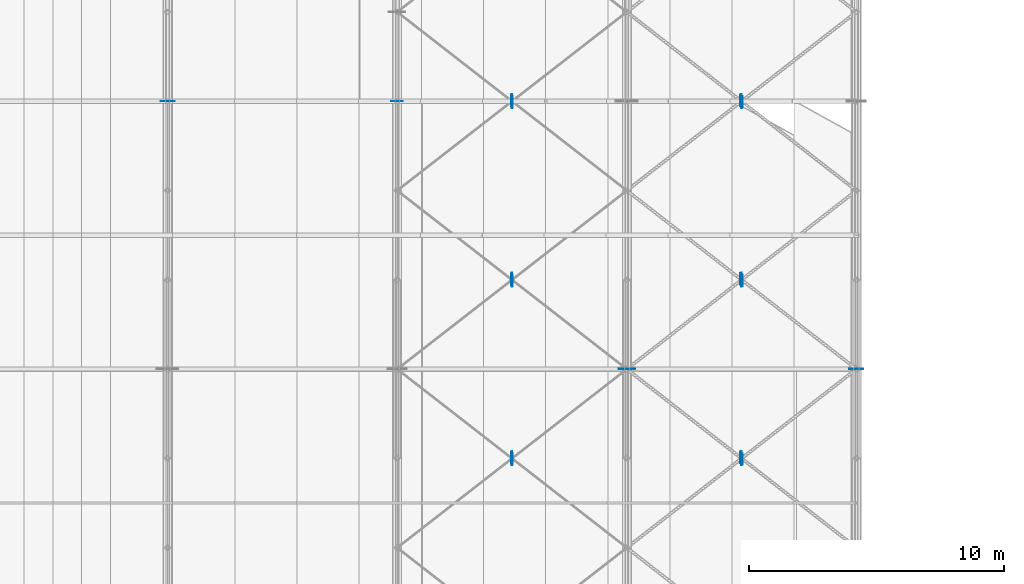
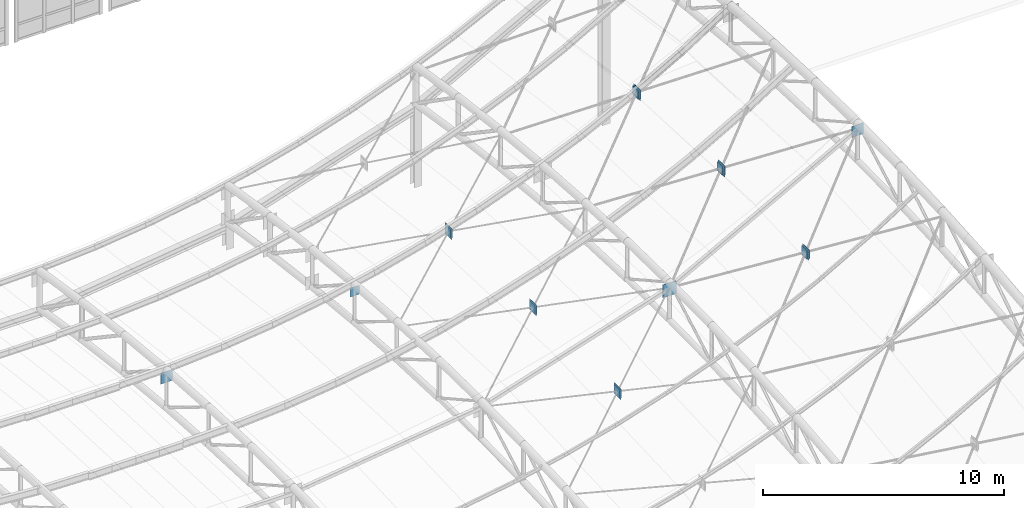
# One storey, part 241 of 262: 22 plates.
"""IFC4 building model written with IfcOpenShell, lengths in metres."""

from ifc_helpers import new_model, si_unit, derived_unit, direction, frame, origin, origin_2d, place, context, subcontext, project, spatial, rectangle, extrude, material, layer, layer_set, type_object, element, save


model = new_model("IFC4")

# Units and contexts
model_context = context("Model", 3, precision=1e-05, world=origin(), true_north=direction((0.0, 1.0)))
body_context = subcontext(model_context, "Body", "Model", "MODEL_VIEW")
ifc_project = project(units=[si_unit("LENGTHUNIT", "METRE"), si_unit("AREAUNIT", "SQUARE_METRE"), si_unit("VOLUMEUNIT", "CUBIC_METRE"), si_unit("PLANEANGLEUNIT", "RADIAN"), si_unit("MASSUNIT", "GRAM", prefix="KILO"), derived_unit("THERMALTRANSMITTANCEUNIT", [(si_unit("POWERUNIT", "WATT"), 1), (si_unit("LENGTHUNIT", "METRE"), -2), (si_unit("THERMODYNAMICTEMPERATUREUNIT", "KELVIN"), -1)])], contexts=[model_context])

# Site, building, storey
site_placement = place(None, origin())
site = spatial("IfcSite", under=ifc_project, at=site_placement, CompositionType="ELEMENT")
building_placement = place(site_placement, origin())
building = spatial("IfcBuilding", under=site, at=building_placement, Name="Almenara Railside Exhibition Hall", CompositionType="ELEMENT")
storey_placement = place(building_placement, frame((0.0, 0.0, 21.699951171875)))
storey = spatial("IfcBuildingStorey", under=building, at=storey_placement, Name="RF", CompositionType="ELEMENT", Elevation=21.699951171875)

# Plates
ifc_material = material(Name="Structural steel S355JR", Category="steel")
ifc_layer_1 = layer(ifc_material, 0.011962890625, Name="Structural steel S355JR")
ifc_layer_set_1 = layer_set([ifc_layer_1], Name="Structural steel S355JR")
plate_type_1 = type_object("IfcPlateType", Name="Truss Node Gusset Plate 12mm S355JR", PredefinedType="USERDEFINED", material=ifc_layer_set_1)
for number, where, z_axis, x_axis, name in (
    (1, (48.0, 31.5, -6.095703125), (0.0, 0.0, 1.0), (1.0, 0.0, 0.0), "PLT-GUS-0253"),
    (2, (52.470703125, 17.522705078125, -4.24853515625), (0.0, 0.0, 1.0), (0.0, 1.0, 0.0), "PLT-GUS-0313"),
    (3, (52.529296875, 17.477294921875, -4.23095703125), (0.0, 0.0, 1.0), (0.0, 1.0, 0.0), "PLT-GUS-0314"),
    (4, (52.470947265625, 24.522705078125, -4.24951171875), (0.0, 0.0, 1.0), (0.0, 1.0, 0.0), "PLT-GUS-0316"),
    (5, (52.529052734375, 24.477294921875, -4.22998046875), (0.0, 0.0, 1.0), (0.0, 1.0, 0.0), "PLT-GUS-0317"),
    (6, (52.47119140625, 31.522216796875, -4.65087890625), (0.0, 0.0, 1.0), (0.0, 1.0, 0.0), "PLT-GUS-0319"),
    (7, (52.52880859375, 31.477783203125, -4.62841796875), (0.0, 0.0, 1.0), (0.0, 1.0, 0.0), "PLT-GUS-0320"),
    (8, (61.458251953125, 17.532470703125, -0.37646484375), (0.0, 0.0, 1.0), (0.0, 1.0, 0.0), "PLT-GUS-0331"),
    (9, (61.541748046875, 17.467529296875, -0.33251953125), (0.0, 0.0, 1.0), (0.0, 1.0, 0.0), "PLT-GUS-0332"),
    (10, (61.458740234375, 24.531982421875, -0.3779296875), (0.0, 0.0, 1.0), (0.0, 1.0, 0.0), "PLT-GUS-0334"),
    (11, (61.541259765625, 24.468017578125, -0.3310546875), (0.0, 0.0, 1.0), (0.0, 1.0, 0.0), "PLT-GUS-0335"),
    (12, (61.45947265625, 31.531494140625, -0.779296875), (0.0, 0.0, 1.0), (0.0, 1.0, 0.0), "PLT-GUS-0337"),
    (13, (61.54052734375, 31.468505859375, -0.7294921875), (0.0, 0.0, 1.0), (0.0, 1.0, 0.0), "PLT-GUS-0338"),
):
    element("IfcPlate", number, at=place(storey_placement, frame(where, z_axis=z_axis, x_axis=x_axis)), inside=storey, type_object=plate_type_1, Name=name, ObjectType="GUSSET_PLATE", PredefinedType="USERDEFINED", context=body_context, shape_type="SweptSolid", body=[
        extrude(rectangle(XDim=0.449951171875, YDim=0.011962890625, at=origin_2d()), origin(), (0.0, 0.0, 1.0), 0.449951171875),
    ])
ifc_layer_2 = layer(ifc_material, 0.01611328125, Name="Structural steel S355JR")
ifc_layer_set_2 = layer_set([ifc_layer_2], Name="Structural steel S355JR")
plate_type_2 = type_object("IfcPlateType", Name="Truss Node Gusset Plate 16mm S355JR", PredefinedType="USERDEFINED", material=ifc_layer_set_2)
for number, where, z_axis, x_axis, name in (
    (14, (39.0, 31.5, -7.32666015625), (0.0, 0.0, 1.0), (1.0, 0.0, 0.0), "PLT-GUS-0248"),
    (15, (66.0, 21.0, 2.0751953125), (0.0, 0.0, 1.0), (1.0, 0.0, 0.0), "PLT-GUS-0267"),
    (16, (52.5, 17.5, -4.28955078125), (0.0, 0.0, 1.0), (0.0, 1.0, 0.0), "PLT-GUS-0312"),
    (17, (52.5, 24.5, -4.28955078125), (0.0, 0.0, 1.0), (0.0, 1.0, 0.0), "PLT-GUS-0315"),
    (18, (52.5, 31.5, -4.68994140625), (0.0, 0.0, 1.0), (0.0, 1.0, 0.0), "PLT-GUS-0318"),
    (19, (61.5, 17.5, -0.404296875), (0.0, 0.0, 1.0), (0.0, 1.0, 0.0), "PLT-GUS-0330"),
    (20, (61.5, 24.5, -0.404296875), (0.0, 0.0, 1.0), (0.0, 1.0, 0.0), "PLT-GUS-0333"),
    (21, (61.5, 31.5, -0.8046875), (0.0, 0.0, 1.0), (0.0, 1.0, 0.0), "PLT-GUS-0336"),
):
    element("IfcPlate", number, at=place(storey_placement, frame(where, z_axis=z_axis, x_axis=x_axis)), inside=storey, type_object=plate_type_2, Name=name, ObjectType="GUSSET_PLATE", PredefinedType="USERDEFINED", context=body_context, shape_type="SweptSolid", body=[
        extrude(rectangle(XDim=0.550048828125, YDim=0.01611328125, at=origin_2d()), origin(), (0.0, 0.0, 1.0), 0.550048828125),
    ])
ifc_layer_3 = layer(ifc_material, 0.02001953125, Name="Structural steel S355JR")
ifc_layer_set_3 = layer_set([ifc_layer_3], Name="Structural steel S355JR")
plate_type_3 = type_object("IfcPlateType", Name="Truss Node Gusset Plate 20mm S355JR", PredefinedType="USERDEFINED", material=ifc_layer_set_3)
plate_placement = place(storey_placement, frame((57.0, 21.0, -2.8740234375), z_axis=(0.0, 0.0, 1.0), x_axis=(1.0, 0.0, 0.0)))
element("IfcPlate", 22, at=plate_placement, inside=storey, type_object=plate_type_3, Name="PLT-GUS-0262", ObjectType="GUSSET_PLATE", PredefinedType="USERDEFINED", context=body_context, shape_type="SweptSolid", body=[
    extrude(rectangle(XDim=0.64990234375, YDim=0.02001953125, at=origin_2d()), origin(), (0.0, 0.0, 1.0), 0.64990234375),
])

save(model, "model.ifc")
